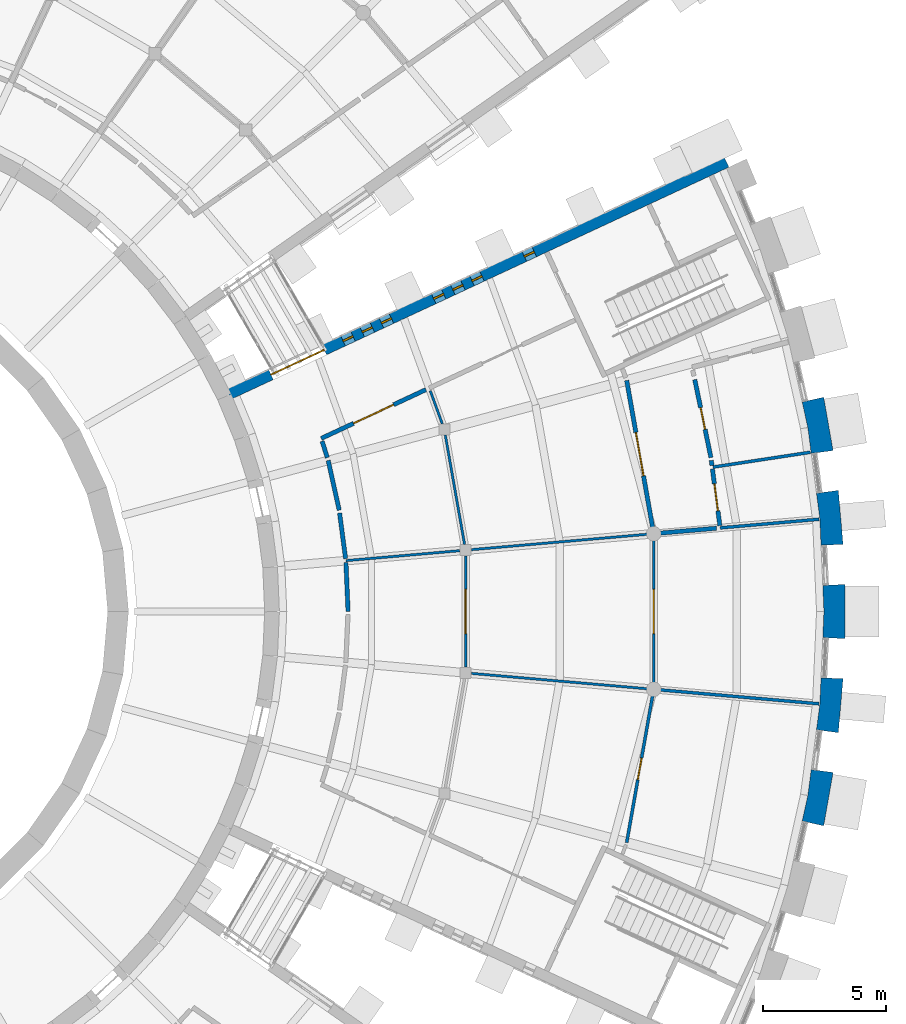
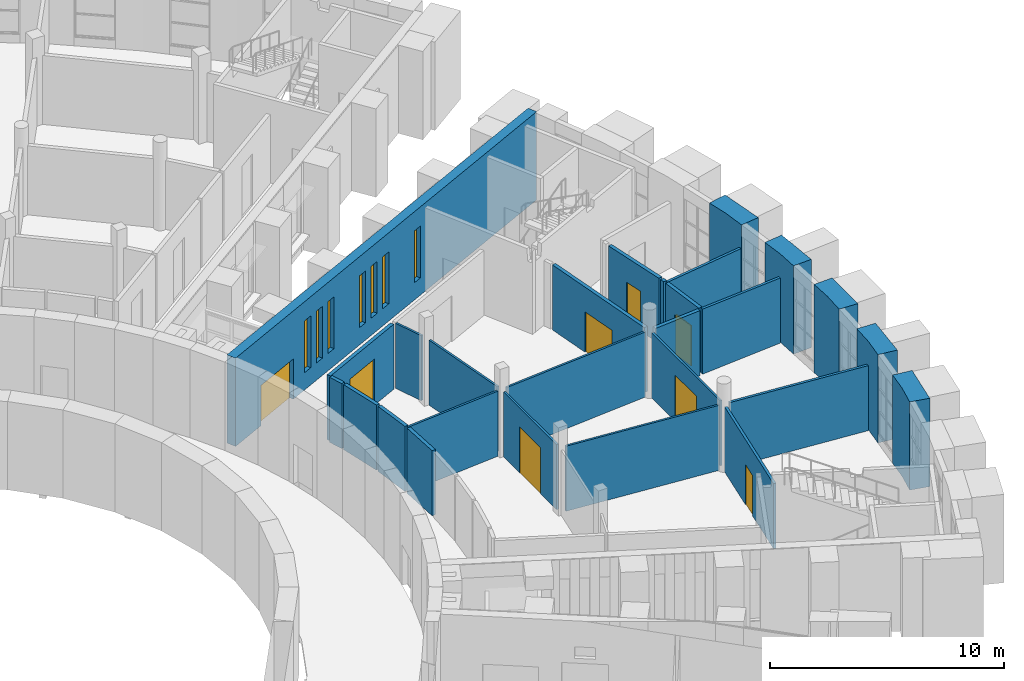
# One storey, part 45 of 66: 27 walls, 8 doors, 7 windows, 15 openings.
"""IFC4 building model written with IfcOpenShell, lengths in metres."""

from ifc_helpers import new_model, si_unit, direction, frame, frame_2d, origin, place, context, subcontext, project, spatial, polyline, rectangle, outline, extrude, material, layer, layer_set, type_object, element, fill, save


model = new_model("IFC4")

# Units and contexts
model_context = context("Model", 3, precision=1e-05, world=origin(), true_north=direction((0.0, 1.0)))
body_context = subcontext(model_context, "Body", "Model", "MODEL_VIEW")
ifc_project = project(units=[si_unit("LENGTHUNIT", "METRE"), si_unit("AREAUNIT", "SQUARE_METRE"), si_unit("VOLUMEUNIT", "CUBIC_METRE"), si_unit("PLANEANGLEUNIT", "RADIAN"), si_unit("MASSUNIT", "GRAM", prefix="KILO")], contexts=[model_context])

# Site, building, storey
site_placement = place(None, origin())
site = spatial("IfcSite", under=ifc_project, at=site_placement, CompositionType="ELEMENT")
building_placement = place(site_placement, origin())
building = spatial("IfcBuilding", under=site, at=building_placement, Name="Volute Hill Aquarium", CompositionType="ELEMENT")
storey_placement = place(building_placement, frame((0.0, 0.0, 4.60009765625)))
storey = spatial("IfcBuildingStorey", under=building, at=storey_placement, Name="L02", CompositionType="ELEMENT", Elevation=4.60009765625)

# Wall, opening, door
ifc_material_1 = material(Name="Gypsum board on steel studs", Category="steel")
ifc_layer_1 = layer(ifc_material_1, 0.175048828125)
ifc_layer_set_1 = layer_set([ifc_layer_1], Name="Corridor partition 175 EI 60")
wall_type_1 = type_object("IfcWallType", Name="Corridor partition 175 EI 60", PredefinedType="PARTITIONING", material=ifc_layer_set_1)
wall_1_placement = place(storey_placement, frame((35.15966796875, 9.4208984375, 0.0), z_axis=(0.0, 0.0, 1.0), x_axis=(0.173678110418, -0.984802474592, 0.0)))
wall_1 = element("IfcWall", 1, at=wall_1_placement, inside=storey, type_object=wall_type_1, Name="pw/S4/L02/007", PredefinedType="PARTITIONING", context=body_context, shape_type="SweptSolid", body=[
    extrude(rectangle(XDim=6.10498046875, YDim=0.175048828125, at=frame_2d((3.052490234375, 0.0))), origin(), (0.0, 0.0, 1.0), 3.389892578125),
])
opening_1_placement = place(wall_1_placement, frame((2.152587890625, 0.0, 0.0)))
opening_1 = element("IfcOpeningElement", 2, at=opening_1_placement, cuts=wall_1, Name="Opening D4.02.07", PredefinedType="OPENING", context=body_context, shape_type="SweptSolid", body=[
    extrude(rectangle(XDim=1.800048828125, YDim=2.10009765625, at=frame_2d((0.89990234375, 1.050048828125))), frame((0.0, 0.097412109375, 0.0), z_axis=(0.0, -1.0, 0.0), x_axis=(1.0, 0.0, 0.0)), (0.0, 0.0, 1.0), 0.195068359375),
])
ifc_material_2 = material(Name="Timber, fire-rated", Category="wood")
door_type_1 = type_object("IfcDoorType", Name="Door 1800 x 2100 corridor double EI1 30", OperationType="DOUBLE_DOOR_SINGLE_SWING", PredefinedType="DOOR", material=ifc_material_2)
door_1_placement = place(opening_1_placement, origin())
door_1 = element("IfcDoor", 3, at=door_1_placement, inside=storey, type_object=door_type_1, Name="d/S4/L02/07", OperationType="SINGLE_SWING_LEFT", OverallHeight=2.10009765625, OverallWidth=1.800048828125, PredefinedType="DOOR", context=body_context, shape_type="SweptSolid", body=[
    extrude(rectangle(XDim=1.800048828125, YDim=2.10009765625, at=frame_2d((0.89990234375, 1.050048828125))), frame((0.0, 0.02490234375, 0.0), z_axis=(0.0, -1.0, 0.0), x_axis=(1.0, 0.0, 0.0)), (0.0, 0.0, 1.0), 0.050048828125),
])
fill(opening_1, door_1)

wall_2_placement = place(storey_placement, frame((26.9736328125, 9.04736328125, 0.0), z_axis=(0.0, 0.0, 1.0), x_axis=(-0.906308936169, -0.422615797409, 0.0)))
wall_2 = element("IfcWall", 4, at=wall_2_placement, inside=storey, type_object=wall_type_1, Name="pw/S4/L02/009", PredefinedType="PARTITIONING", context=body_context, shape_type="SweptSolid", body=[
    extrude(rectangle(XDim=4.708740234375, YDim=0.175048828125, at=frame_2d((2.3544921875, 0.0))), origin(), (0.0, 0.0, 1.0), 3.389892578125),
])
opening_2_placement = place(wall_2_placement, frame((1.454345703125, 0.0, 0.0)))
opening_2 = element("IfcOpeningElement", 5, at=opening_2_placement, cuts=wall_2, Name="Opening D4.02.02", PredefinedType="OPENING", context=body_context, shape_type="SweptSolid", body=[
    extrude(rectangle(XDim=1.800048828125, YDim=2.39990234375, at=frame_2d((0.89990234375, 1.199951171875))), frame((0.0, 0.097412109375, 0.0), z_axis=(0.0, -1.0, 0.0), x_axis=(1.0, 0.0, 0.0)), (0.0, 0.0, 1.0), 0.195068359375),
])
ifc_material_3 = material(Name="Timber, fire-rated", Category="wood")
door_type_2 = type_object("IfcDoorType", Name="Door 1800 x 2400 gallery double EI1 30", OperationType="DOUBLE_DOOR_SINGLE_SWING", PredefinedType="DOOR", material=ifc_material_3)
door_2_placement = place(opening_2_placement, origin())
door_2 = element("IfcDoor", 6, at=door_2_placement, inside=storey, type_object=door_type_2, Name="d/S4/L02/02", OperationType="SINGLE_SWING_LEFT", OverallHeight=2.39990234375, OverallWidth=1.800048828125, PredefinedType="DOOR", context=body_context, shape_type="SweptSolid", body=[
    extrude(rectangle(XDim=1.800048828125, YDim=2.39990234375, at=frame_2d((0.89990234375, 1.199951171875))), frame((0.0, 0.02490234375, 0.0), z_axis=(0.0, -1.0, 0.0), x_axis=(1.0, 0.0, 0.0)), (0.0, 0.0, 1.0), 0.050048828125),
])
fill(opening_2, door_2)

wall_3_placement = place(storey_placement, frame((38.593505859375, 6.278564453125, 0.0), z_axis=(0.0, 0.0, 1.0), x_axis=(-0.202824517058, 0.97921510164, 0.0)))
wall_3 = element("IfcWall", 7, at=wall_3_placement, inside=storey, type_object=wall_type_1, Name="pw/S4/L02/018", PredefinedType="PARTITIONING", context=body_context, shape_type="SweptSolid", body=[
    extrude(rectangle(XDim=3.2451171875, YDim=0.175048828125, at=frame_2d((1.62255859375, 0.0))), origin(), (0.0, 0.0, 1.0), 3.389892578125),
])
opening_3_placement = place(wall_3_placement, frame((1.172607421875, 0.0, 0.0)))
opening_3 = element("IfcOpeningElement", 8, at=opening_3_placement, cuts=wall_3, Name="Opening D4.02.10", PredefinedType="OPENING", context=body_context, shape_type="SweptSolid", body=[
    extrude(rectangle(XDim=0.89990234375, YDim=2.10009765625, at=frame_2d((0.449951171875, 1.050048828125))), frame((0.0, 0.097412109375, 0.0), z_axis=(0.0, -1.0, 0.0), x_axis=(1.0, 0.0, 0.0)), (0.0, 0.0, 1.0), 0.195068359375),
])
ifc_material_4 = material(Name="Timber, fire-rated", Category="wood")
door_type_3 = type_object("IfcDoorType", Name="Door 900 x 2100 wc single EI1 30", OperationType="SINGLE_SWING_LEFT", PredefinedType="DOOR", material=ifc_material_4)
door_3_placement = place(opening_3_placement, origin())
door_3 = element("IfcDoor", 9, at=door_3_placement, inside=storey, type_object=door_type_3, Name="d/S4/L02/10", OperationType="SINGLE_SWING_RIGHT", OverallHeight=2.10009765625, OverallWidth=0.89990234375, PredefinedType="DOOR", context=body_context, shape_type="SweptSolid", body=[
    extrude(rectangle(XDim=0.89990234375, YDim=2.10009765625, at=frame_2d((0.449951171875, 1.050048828125))), frame((0.0, 0.02490234375, 0.0), z_axis=(0.0, -1.0, 0.0), x_axis=(1.0, 0.0, 0.0)), (0.0, 0.0, 1.0), 0.050048828125),
])
fill(opening_3, door_3)

# Wall
wall_4_placement = place(storey_placement, frame((38.60888671875, 6.162109375, 0.0), z_axis=(0.0, 0.0, 1.0), x_axis=(0.130275574496, -0.9914778236, 0.0)))
element("IfcWall", 10, at=wall_4_placement, inside=storey, type_object=wall_type_1, Name="pw/S4/L02/019", PredefinedType="PARTITIONING", context=body_context, shape_type="SweptSolid", body=[
    extrude(rectangle(XDim=0.211669921875, YDim=0.175048828125, at=frame_2d((0.10595703125, 0.0))), origin(), (0.0, 0.0, 1.0), 3.389892578125),
])

# Wall, opening, door
wall_5_placement = place(storey_placement, frame((38.654296875, 5.815185546875, 0.0), z_axis=(0.0, 0.0, 1.0), x_axis=(0.130546512768, -0.991442185911, 0.0)))
wall_5 = element("IfcWall", 11, at=wall_5_placement, inside=storey, type_object=wall_type_1, Name="pw/S4/L02/020", PredefinedType="PARTITIONING", context=body_context, shape_type="SweptSolid", body=[
    extrude(rectangle(XDim=2.333984375, YDim=0.175048828125, at=frame_2d((1.1669921875, 0.0))), origin(), (0.0, 0.0, 1.0), 3.389892578125),
])
opening_4_placement = place(wall_5_placement, frame((0.616943359375, 0.0, 0.0)))
opening_4 = element("IfcOpeningElement", 12, at=opening_4_placement, cuts=wall_5, Name="Opening D4.02.09", PredefinedType="OPENING", context=body_context, shape_type="SweptSolid", body=[
    extrude(rectangle(XDim=1.10009765625, YDim=2.10009765625, at=frame_2d((0.550048828125, 1.050048828125))), frame((0.0, 0.097412109375, 0.0), z_axis=(0.0, -1.0, 0.0), x_axis=(1.0, 0.0, 0.0)), (0.0, 0.0, 1.0), 0.195068359375),
])
ifc_material_5 = material(Name="Timber, fire-rated", Category="wood")
door_type_4 = type_object("IfcDoorType", Name="Door 1100 x 2100 accessible WC EI1 30", OperationType="SINGLE_SWING_LEFT", PredefinedType="DOOR", material=ifc_material_5)
door_4_placement = place(opening_4_placement, origin())
door_4 = element("IfcDoor", 13, at=door_4_placement, inside=storey, type_object=door_type_4, Name="d/S4/L02/09", OperationType="SINGLE_SWING_LEFT", OverallHeight=2.10009765625, OverallWidth=1.10009765625, PredefinedType="DOOR", context=body_context, shape_type="SweptSolid", body=[
    extrude(rectangle(XDim=1.10009765625, YDim=2.10009765625, at=frame_2d((0.550048828125, 1.050048828125))), frame((0.0, 0.02490234375, 0.0), z_axis=(0.0, -1.0, 0.0), x_axis=(1.0, 0.0, 0.0)), (0.0, 0.0, 1.0), 0.050048828125),
])
fill(opening_4, door_4)

# Walls
wall_6_placement = place(storey_placement, frame((38.82177734375, 3.396484375, 0.0), z_axis=(0.0, 0.0, 1.0), x_axis=(-0.996193262578, -0.087172149186, 0.0)))
element("IfcWall", 14, at=wall_6_placement, inside=storey, type_object=wall_type_1, Name="pw/S4/L02/021", PredefinedType="PARTITIONING", context=body_context, shape_type="SweptSolid", body=[
    extrude(rectangle(XDim=2.330078125, YDim=0.175048828125, at=frame_2d((1.1650390625, 0.0))), origin(), (0.0, 0.0, 1.0), 3.389892578125),
])
wall_7_placement = place(storey_placement, frame((22.989013671875, 6.159912109375, 0.0), z_axis=(0.0, 0.0, 1.0), x_axis=(0.216469786072, -0.97628931763, 0.0)))
element("IfcWall", 15, at=wall_7_placement, inside=storey, type_object=wall_type_1, Name="pw/S4/L02/022", PredefinedType="PARTITIONING", context=body_context, shape_type="SweptSolid", body=[
    extrude(rectangle(XDim=2.076416015625, YDim=0.175048828125, at=frame_2d((1.0380859375, 0.0))), origin(), (0.0, 0.0, 1.0), 3.389892578125),
])
wall_8_placement = place(storey_placement, frame((23.712890625, 1.994384765625, 0.0), z_axis=(0.0, 0.0, 1.0), x_axis=(0.043660127286, -0.999046442006, 0.0)))
element("IfcWall", 16, at=wall_8_placement, inside=storey, type_object=wall_type_1, Name="pw/S4/L02/024", PredefinedType="PARTITIONING", context=body_context, shape_type="SweptSolid", body=[
    extrude(rectangle(XDim=1.996337890625, YDim=0.175048828125, at=frame_2d((0.998046875, 0.0))), origin(), (0.0, 0.0, 1.0), 3.389892578125),
])
wall_9_placement = place(storey_placement, frame((23.45361328125, 4.016357421875, 0.0), z_axis=(0.0, 0.0, 1.0), x_axis=(0.130588961803, -0.99143659558, 0.0)))
element("IfcWall", 17, at=wall_9_placement, inside=storey, type_object=wall_type_1, Name="pw/S4/L02/026", PredefinedType="PARTITIONING", context=body_context, shape_type="SweptSolid", body=[
    extrude(rectangle(XDim=1.87890625, YDim=0.175048828125, at=frame_2d((0.939453125, 0.0))), origin(), (0.0, 0.0, 1.0), 3.389892578125),
])
wall_10_placement = place(storey_placement, frame((22.741455078125, 6.9453125, 0.0), z_axis=(0.0, 0.0, 1.0), x_axis=(0.300518931654, -0.953775849829, 0.0)))
element("IfcWall", 18, at=wall_10_placement, inside=storey, type_object=wall_type_1, Name="pw/S4/L02/030", PredefinedType="PARTITIONING", context=body_context, shape_type="SweptSolid", body=[
    extrude(rectangle(XDim=0.7060546875, YDim=0.175048828125, at=frame_2d((0.35302734375, 0.0))), origin(), (0.0, 0.0, 1.0), 3.389892578125),
])

# Wall, openings, door, windows
ifc_material_6 = material(Name="Concrete C35/45", Category="concrete")
ifc_layer_2 = layer(ifc_material_6, 0.449951171875)
ifc_layer_set_2 = layer_set([ifc_layer_2], Name="End wall 450 C35/45")
wall_type_2 = type_object("IfcWallType", Name="End wall 450 C35/45", PredefinedType="SHEAR", material=ifc_layer_set_2)
wall_11_placement = place(storey_placement, frame((18.931396484375, 8.85546875, 0.0), z_axis=(0.0, 0.0, 1.0), x_axis=(0.906309235651, 0.422615155162, 0.0)))
wall_11 = element("IfcWall", 19, at=wall_11_placement, inside=storey, type_object=wall_type_2, Name="sw/S4/L02/endB", PredefinedType="SHEAR", context=body_context, shape_type="SweptSolid", body=[
    extrude(rectangle(XDim=22.39990234375, YDim=0.449951171875, at=frame_2d((11.199951171875, 0.0))), origin(), (0.0, 0.0, 1.0), 4.599853515625),
])
opening_5_placement = place(wall_11_placement, frame((5.146240234375, 0.0, 0.89990234375)))
opening_5 = element("IfcOpeningElement", 20, at=opening_5_placement, cuts=wall_11, Name="Opening W12", PredefinedType="OPENING", context=body_context, shape_type="SweptSolid", body=[
    extrude(rectangle(XDim=0.449951171875, YDim=2.699951171875, at=frame_2d((0.22509765625, 1.35009765625))), frame((0.0, 0.23486328125, 0.0), z_axis=(0.0, -1.0, 0.0), x_axis=(1.0, 0.0, 0.0)), (0.0, 0.0, 1.0), 0.469970703125),
])
opening_6_placement = place(wall_11_placement, frame((6.009033203125, 0.0, 0.89990234375)))
opening_6 = element("IfcOpeningElement", 21, at=opening_6_placement, cuts=wall_11, Name="Opening W12", PredefinedType="OPENING", context=body_context, shape_type="SweptSolid", body=[
    extrude(rectangle(XDim=0.449951171875, YDim=2.699951171875, at=frame_2d((0.22509765625, 1.35009765625))), frame((0.0, 0.23486328125, 0.0), z_axis=(0.0, -1.0, 0.0), x_axis=(1.0, 0.0, 0.0)), (0.0, 0.0, 1.0), 0.469970703125),
])
opening_7_placement = place(wall_11_placement, frame((6.871826171875, 0.0, 0.89990234375)))
opening_7 = element("IfcOpeningElement", 22, at=opening_7_placement, cuts=wall_11, Name="Opening W12", PredefinedType="OPENING", context=body_context, shape_type="SweptSolid", body=[
    extrude(rectangle(XDim=0.449951171875, YDim=2.699951171875, at=frame_2d((0.22509765625, 1.35009765625))), frame((0.0, 0.23486328125, 0.0), z_axis=(0.0, -1.0, 0.0), x_axis=(1.0, 0.0, 0.0)), (0.0, 0.0, 1.0), 0.469970703125),
])
opening_8_placement = place(wall_11_placement, frame((9.22216796875, 0.0, 0.89990234375)))
opening_8 = element("IfcOpeningElement", 23, at=opening_8_placement, cuts=wall_11, Name="Opening W12", PredefinedType="OPENING", context=body_context, shape_type="SweptSolid", body=[
    extrude(rectangle(XDim=0.449951171875, YDim=2.699951171875, at=frame_2d((0.22509765625, 1.35009765625))), frame((0.0, 0.23486328125, 0.0), z_axis=(0.0, -1.0, 0.0), x_axis=(1.0, 0.0, 0.0)), (0.0, 0.0, 1.0), 0.469970703125),
])
opening_9_placement = place(wall_11_placement, frame((10.0849609375, 0.0, 0.89990234375)))
opening_9 = element("IfcOpeningElement", 24, at=opening_9_placement, cuts=wall_11, Name="Opening W12", PredefinedType="OPENING", context=body_context, shape_type="SweptSolid", body=[
    extrude(rectangle(XDim=0.449951171875, YDim=2.699951171875, at=frame_2d((0.22509765625, 1.35009765625))), frame((0.0, 0.23486328125, 0.0), z_axis=(0.0, -1.0, 0.0), x_axis=(1.0, 0.0, 0.0)), (0.0, 0.0, 1.0), 0.469970703125),
])
opening_10_placement = place(wall_11_placement, frame((10.94775390625, 0.0, 0.89990234375)))
opening_10 = element("IfcOpeningElement", 25, at=opening_10_placement, cuts=wall_11, Name="Opening W12", PredefinedType="OPENING", context=body_context, shape_type="SweptSolid", body=[
    extrude(rectangle(XDim=0.449951171875, YDim=2.699951171875, at=frame_2d((0.22509765625, 1.35009765625))), frame((0.0, 0.23486328125, 0.0), z_axis=(0.0, -1.0, 0.0), x_axis=(1.0, 0.0, 0.0)), (0.0, 0.0, 1.0), 0.469970703125),
])
opening_11_placement = place(wall_11_placement, frame((13.298095703125, 0.0, 0.89990234375)))
opening_11 = element("IfcOpeningElement", 26, at=opening_11_placement, cuts=wall_11, Name="Opening W12", PredefinedType="OPENING", context=body_context, shape_type="SweptSolid", body=[
    extrude(rectangle(XDim=0.449951171875, YDim=2.699951171875, at=frame_2d((0.22509765625, 1.35009765625))), frame((0.0, 0.23486328125, 0.0), z_axis=(0.0, -1.0, 0.0), x_axis=(1.0, 0.0, 0.0)), (0.0, 0.0, 1.0), 0.469970703125),
])
opening_12_placement = place(wall_11_placement, frame((1.89990234375, 0.0, 0.0)))
opening_12 = element("IfcOpeningElement", 27, at=opening_12_placement, cuts=wall_11, Name="Opening D4.02.BB", PredefinedType="OPENING", context=body_context, shape_type="SweptSolid", body=[
    extrude(rectangle(XDim=2.39990234375, YDim=2.10009765625, at=frame_2d((1.199951171875, 1.050048828125))), frame((0.0, 0.23486328125, 0.0), z_axis=(0.0, -1.0, 0.0), x_axis=(1.0, 0.0, 0.0)), (0.0, 0.0, 1.0), 0.469970703125),
])
ifc_material_7 = material(Name="Timber", Category="wood")
door_type_5 = type_object("IfcDoorType", Name="Door 2400 x 2100 bridge double", OperationType="DOUBLE_DOOR_SINGLE_SWING", PredefinedType="DOOR", material=ifc_material_7)
door_5_placement = place(opening_12_placement, origin())
door_5 = element("IfcDoor", 28, at=door_5_placement, inside=storey, type_object=door_type_5, Name="d/S4/L02/brB", OperationType="SINGLE_SWING_LEFT", OverallHeight=2.10009765625, OverallWidth=2.39990234375, PredefinedType="DOOR", context=body_context, shape_type="SweptSolid", body=[
    extrude(rectangle(XDim=2.39990234375, YDim=2.10009765625, at=frame_2d((1.199951171875, 1.050048828125))), frame((0.0, 0.02490234375, 0.0), z_axis=(0.0, -1.0, 0.0), x_axis=(1.0, 0.0, 0.0)), (0.0, 0.0, 1.0), 0.050048828125),
])
fill(opening_12, door_5)
ifc_material_8 = material(Name="Aluminium and glass", Category="aluminium")
window_type = type_object("IfcWindowType", Name="End wall window 450x2700", PartitioningType="SINGLE_PANEL", PredefinedType="WINDOW", material=ifc_material_8)
window_1_placement = place(opening_5_placement, origin())
window_1 = element("IfcWindow", 29, at=window_1_placement, inside=storey, type_object=window_type, Name="End wall window S4B L02 2.1", OverallHeight=2.699951171875, OverallWidth=0.449951171875, PartitioningType="SINGLE_PANEL", PredefinedType="WINDOW", context=body_context, shape_type="SweptSolid", body=[
    extrude(rectangle(XDim=0.449951171875, YDim=2.699951171875, at=frame_2d((0.22509765625, 1.35009765625))), frame((0.0, 0.030029296875, 0.0), z_axis=(0.0, -1.0, 0.0), x_axis=(1.0, 0.0, 0.0)), (0.0, 0.0, 1.0), 0.06005859375),
])
fill(opening_5, window_1)
window_2_placement = place(opening_6_placement, origin())
window_2 = element("IfcWindow", 30, at=window_2_placement, inside=storey, type_object=window_type, Name="End wall window S4B L02 2.2", OverallHeight=2.699951171875, OverallWidth=0.449951171875, PartitioningType="SINGLE_PANEL", PredefinedType="WINDOW", context=body_context, shape_type="SweptSolid", body=[
    extrude(rectangle(XDim=0.449951171875, YDim=2.699951171875, at=frame_2d((0.22509765625, 1.35009765625))), frame((0.0, 0.030029296875, 0.0), z_axis=(0.0, -1.0, 0.0), x_axis=(1.0, 0.0, 0.0)), (0.0, 0.0, 1.0), 0.06005859375),
])
fill(opening_6, window_2)
window_3_placement = place(opening_7_placement, origin())
window_3 = element("IfcWindow", 31, at=window_3_placement, inside=storey, type_object=window_type, Name="End wall window S4B L02 2.3", OverallHeight=2.699951171875, OverallWidth=0.449951171875, PartitioningType="SINGLE_PANEL", PredefinedType="WINDOW", context=body_context, shape_type="SweptSolid", body=[
    extrude(rectangle(XDim=0.449951171875, YDim=2.699951171875, at=frame_2d((0.22509765625, 1.35009765625))), frame((0.0, 0.030029296875, 0.0), z_axis=(0.0, -1.0, 0.0), x_axis=(1.0, 0.0, 0.0)), (0.0, 0.0, 1.0), 0.06005859375),
])
fill(opening_7, window_3)
window_4_placement = place(opening_8_placement, origin())
window_4 = element("IfcWindow", 32, at=window_4_placement, inside=storey, type_object=window_type, Name="End wall window S4B L02 3.1", OverallHeight=2.699951171875, OverallWidth=0.449951171875, PartitioningType="SINGLE_PANEL", PredefinedType="WINDOW", context=body_context, shape_type="SweptSolid", body=[
    extrude(rectangle(XDim=0.449951171875, YDim=2.699951171875, at=frame_2d((0.22509765625, 1.35009765625))), frame((0.0, 0.030029296875, 0.0), z_axis=(0.0, -1.0, 0.0), x_axis=(1.0, 0.0, 0.0)), (0.0, 0.0, 1.0), 0.06005859375),
])
fill(opening_8, window_4)
window_5_placement = place(opening_9_placement, origin())
window_5 = element("IfcWindow", 33, at=window_5_placement, inside=storey, type_object=window_type, Name="End wall window S4B L02 3.2", OverallHeight=2.699951171875, OverallWidth=0.449951171875, PartitioningType="SINGLE_PANEL", PredefinedType="WINDOW", context=body_context, shape_type="SweptSolid", body=[
    extrude(rectangle(XDim=0.449951171875, YDim=2.699951171875, at=frame_2d((0.22509765625, 1.35009765625))), frame((0.0, 0.030029296875, 0.0), z_axis=(0.0, -1.0, 0.0), x_axis=(1.0, 0.0, 0.0)), (0.0, 0.0, 1.0), 0.06005859375),
])
fill(opening_9, window_5)
window_6_placement = place(opening_10_placement, origin())
window_6 = element("IfcWindow", 34, at=window_6_placement, inside=storey, type_object=window_type, Name="End wall window S4B L02 3.3", OverallHeight=2.699951171875, OverallWidth=0.449951171875, PartitioningType="SINGLE_PANEL", PredefinedType="WINDOW", context=body_context, shape_type="SweptSolid", body=[
    extrude(rectangle(XDim=0.449951171875, YDim=2.699951171875, at=frame_2d((0.22509765625, 1.35009765625))), frame((0.0, 0.030029296875, 0.0), z_axis=(0.0, -1.0, 0.0), x_axis=(1.0, 0.0, 0.0)), (0.0, 0.0, 1.0), 0.06005859375),
])
fill(opening_10, window_6)
window_7_placement = place(opening_11_placement, origin())
window_7 = element("IfcWindow", 35, at=window_7_placement, inside=storey, type_object=window_type, Name="End wall window S4B L02 4.1", OverallHeight=2.699951171875, OverallWidth=0.449951171875, PartitioningType="SINGLE_PANEL", PredefinedType="WINDOW", context=body_context, shape_type="SweptSolid", body=[
    extrude(rectangle(XDim=0.449951171875, YDim=2.699951171875, at=frame_2d((0.22509765625, 1.35009765625))), frame((0.0, 0.030029296875, 0.0), z_axis=(0.0, -1.0, 0.0), x_axis=(1.0, 0.0, 0.0)), (0.0, 0.0, 1.0), 0.06005859375),
])
fill(opening_11, window_7)

# Walls
ifc_material_9 = material(Name="Gypsum board on steel studs", Category="steel")
ifc_layer_3 = layer(ifc_material_9, 0.10009765625)
ifc_layer_set_3 = layer_set([ifc_layer_3], Name="Light partition 100")
wall_type_3 = type_object("IfcWallType", Name="Light partition 100", PredefinedType="PARTITIONING", material=ifc_layer_set_3)
for number, where, z_axis, x_axis, name in (
    (36, (28.829833984375, -2.522216796875, 0.0), (0.0, 0.0, 1.0), (0.996193240342, -0.087172403299, 0.0), "pw/S4/L02/001"),
    (37, (28.829833984375, 2.522216796875, 0.0), (0.0, 0.0, 1.0), (0.996193240342, 0.087172403299, 0.0), "pw/S4/L02/002"),
):
    element("IfcWall", number, at=place(storey_placement, frame(where, z_axis=z_axis, x_axis=x_axis)), inside=storey, type_object=wall_type_3, Name=name, PredefinedType="PARTITIONING", context=body_context, shape_type="SweptSolid", body=[
        extrude(rectangle(XDim=7.22021484375, YDim=0.10009765625, at=frame_2d((3.610107421875, 0.0))), origin(), (0.0, 0.0, 1.0), 3.389892578125),
    ])

# Wall, opening, door
wall_12_placement = place(storey_placement, frame((36.261474609375, 2.9326171875, 0.0), z_axis=(0.0, 0.0, 1.0), x_axis=(0.0, -1.0, 0.0)))
wall_12 = element("IfcWall", 38, at=wall_12_placement, inside=storey, type_object=wall_type_3, Name="pw/S4/L02/008", PredefinedType="PARTITIONING", context=body_context, shape_type="SweptSolid", body=[
    extrude(rectangle(XDim=5.865234375, YDim=0.10009765625, at=frame_2d((2.9326171875, 0.0))), origin(), (0.0, 0.0, 1.0), 3.389892578125),
])
opening_13_placement = place(wall_12_placement, frame((2.032470703125, 0.0, 0.0)))
opening_13 = element("IfcOpeningElement", 39, at=opening_13_placement, cuts=wall_12, Name="Opening D4.02.08", PredefinedType="OPENING", context=body_context, shape_type="SweptSolid", body=[
    extrude(rectangle(XDim=1.800048828125, YDim=2.39990234375, at=frame_2d((0.89990234375, 1.199951171875))), frame((0.0, 0.06005859375, 0.0), z_axis=(0.0, -1.0, 0.0), x_axis=(1.0, 0.0, 0.0)), (0.0, 0.0, 1.0), 0.1201171875),
])
ifc_material_10 = material(Name="Timber", Category="wood")
door_type_6 = type_object("IfcDoorType", Name="Door 1800 x 2400 gallery double", OperationType="DOUBLE_DOOR_SINGLE_SWING", PredefinedType="DOOR", material=ifc_material_10)
door_6_placement = place(opening_13_placement, origin())
door_6 = element("IfcDoor", 40, at=door_6_placement, inside=storey, type_object=door_type_6, Name="d/S4/L02/08", OperationType="SINGLE_SWING_LEFT", OverallHeight=2.39990234375, OverallWidth=1.800048828125, PredefinedType="DOOR", context=body_context, shape_type="SweptSolid", body=[
    extrude(rectangle(XDim=1.800048828125, YDim=2.39990234375, at=frame_2d((0.89990234375, 1.199951171875))), frame((0.0, 0.02490234375, 0.0), z_axis=(0.0, -1.0, 0.0), x_axis=(1.0, 0.0, 0.0)), (0.0, 0.0, 1.0), 0.050048828125),
])
fill(opening_13, door_6)

# Walls
wall_13_placement = place(storey_placement, frame((23.70947265625, 2.07421875, 0.0), z_axis=(0.0, 0.0, 1.0), x_axis=(0.996192864458, 0.087176698736, 0.0)))
element("IfcWall", 41, at=wall_13_placement, inside=storey, type_object=wall_type_3, Name="pw/S4/L02/011", PredefinedType="PARTITIONING", context=body_context, shape_type="SweptSolid", body=[
    extrude(rectangle(XDim=4.66015625, YDim=0.10009765625, at=frame_2d((2.330078125, 0.0))), origin(), (0.0, 0.0, 1.0), 3.389892578125),
])
wall_14_placement = place(storey_placement, frame((27.763671875, 7.19189453125, 0.0), z_axis=(0.0, 0.0, 1.0), x_axis=(0.173696036677, -0.984799312978, 0.0)))
element("IfcWall", 42, at=wall_14_placement, inside=storey, type_object=wall_type_3, Name="pw/S4/L02/013", PredefinedType="PARTITIONING", context=body_context, shape_type="SweptSolid", body=[
    extrude(rectangle(XDim=4.523193359375, YDim=0.10009765625, at=frame_2d((2.26171875, 0.0))), origin(), (0.0, 0.0, 1.0), 3.389892578125),
])

# Wall, opening, door
wall_15_placement = place(storey_placement, frame((28.5908203125, 2.261474609375, 0.0), z_axis=(0.0, 0.0, 1.0), x_axis=(0.0, -1.0, 0.0)))
wall_15 = element("IfcWall", 43, at=wall_15_placement, inside=storey, type_object=wall_type_3, Name="pw/S4/L02/014", PredefinedType="PARTITIONING", context=body_context, shape_type="SweptSolid", body=[
    extrude(rectangle(XDim=4.52294921875, YDim=0.10009765625, at=frame_2d((2.261474609375, 0.0))), origin(), (0.0, 0.0, 1.0), 3.389892578125),
])
opening_14_placement = place(wall_15_placement, frame((1.361328125, 0.0, 0.0)))
opening_14 = element("IfcOpeningElement", 44, at=opening_14_placement, cuts=wall_15, Name="Opening D4.02.05", PredefinedType="OPENING", context=body_context, shape_type="SweptSolid", body=[
    extrude(rectangle(XDim=1.800048828125, YDim=2.39990234375, at=frame_2d((0.89990234375, 1.199951171875))), frame((0.0, 0.06005859375, 0.0), z_axis=(0.0, -1.0, 0.0), x_axis=(1.0, 0.0, 0.0)), (0.0, 0.0, 1.0), 0.1201171875),
])
door_7_placement = place(opening_14_placement, origin())
door_7 = element("IfcDoor", 45, at=door_7_placement, inside=storey, type_object=door_type_6, Name="d/S4/L02/05", OperationType="SINGLE_SWING_LEFT", OverallHeight=2.39990234375, OverallWidth=1.800048828125, PredefinedType="DOOR", context=body_context, shape_type="SweptSolid", body=[
    extrude(rectangle(XDim=1.800048828125, YDim=2.39990234375, at=frame_2d((0.89990234375, 1.199951171875))), frame((0.0, 0.02490234375, 0.0), z_axis=(0.0, -1.0, 0.0), x_axis=(1.0, 0.0, 0.0)), (0.0, 0.0, 1.0), 0.050048828125),
])
fill(opening_14, door_7)

# Walls
wall_16_placement = place(storey_placement, frame((27.14990234375, 9.000244140625, 0.0), z_axis=(0.0, 0.0, 1.0), x_axis=(0.342016566384, -0.939693922679, 0.0)))
element("IfcWall", 46, at=wall_16_placement, inside=storey, type_object=wall_type_3, Name="pw/S4/L02/029", PredefinedType="PARTITIONING", context=body_context, shape_type="SweptSolid", body=[
    extrude(rectangle(XDim=1.433349609375, YDim=0.10009765625, at=frame_2d((0.716796875, 0.0))), origin(), (0.0, 0.0, 1.0), 3.389892578125),
])
ifc_material_11 = material(Name="Precast concrete C40/50", Category="concrete")
ifc_layer_4 = layer(ifc_material_11, 0.89990234375)
ifc_layer_set_4 = layer_set([ifc_layer_4], Name="Outer pier precast concrete C40/50 900")
wall_type_4 = type_object("IfcWallType", Name="Outer pier precast concrete C40/50 900", PredefinedType="NOTDEFINED", material=ifc_layer_set_4)
wall_17_placement = place(storey_placement, origin())
element("IfcWall", 47, at=wall_17_placement, inside=storey, type_object=wall_type_4, Name="Outer pier OWP S4 L02 4", PredefinedType="NOTDEFINED", context=body_context, shape_type="SweptSolid", body=[
    extrude(outline(polyline([(42.312744140625, -8.5419921875), (43.19140625, -8.73681640625), (43.57470703125, -6.5625), (42.682373046875, -6.445068359375), (42.543212890625, -7.50146484375), (42.312744140625, -8.5419921875)])), origin(), (0.0, 0.0, 1.0), 4.599853515625),
])
wall_18_placement = place(storey_placement, origin())
element("IfcWall", 48, at=wall_18_placement, inside=storey, type_object=wall_type_4, Name="Outer pier OWP S4 L02 5", PredefinedType="NOTDEFINED", context=body_context, shape_type="SweptSolid", body=[
    extrude(outline(polyline([(42.89599609375, -4.821533203125), (43.788330078125, -4.93896484375), (43.980712890625, -2.73974609375), (43.081787109375, -2.700439453125), (43.03515625, -3.76513671875), (42.89599609375, -4.821533203125)])), origin(), (0.0, 0.0, 1.0), 4.599853515625),
])
wall_19_placement = place(storey_placement, origin())
element("IfcWall", 49, at=wall_19_placement, inside=storey, type_object=wall_type_4, Name="Outer pier OWP S4 L02 6", PredefinedType="NOTDEFINED", context=body_context, shape_type="SweptSolid", body=[
    extrude(outline(polyline([(43.153076171875, -1.064453125), (44.05224609375, -1.103759765625), (44.05224609375, 1.103759765625), (43.153076171875, 1.064697265625), (43.19970703125, 0.0), (43.153076171875, -1.064453125)])), origin(), (0.0, 0.0, 1.0), 4.599853515625),
])
wall_20_placement = place(storey_placement, origin())
element("IfcWall", 50, at=wall_20_placement, inside=storey, type_object=wall_type_4, Name="Outer pier OWP S4 L02 7", PredefinedType="NOTDEFINED", context=body_context, shape_type="SweptSolid", body=[
    extrude(outline(polyline([(43.08154296875, 2.700439453125), (43.980712890625, 2.73974609375), (43.788330078125, 4.93896484375), (42.89599609375, 4.821533203125), (43.03515625, 3.76513671875), (43.08154296875, 2.700439453125)])), origin(), (0.0, 0.0, 1.0), 4.599853515625),
])
wall_21_placement = place(storey_placement, origin())
element("IfcWall", 51, at=wall_21_placement, inside=storey, type_object=wall_type_4, Name="Outer pier OWP S4 L02 8", PredefinedType="NOTDEFINED", context=body_context, shape_type="SweptSolid", body=[
    extrude(outline(polyline([(42.682373046875, 6.445068359375), (43.57470703125, 6.5625), (43.19140625, 8.736572265625), (42.312744140625, 8.541748046875), (42.543212890625, 7.50146484375), (42.682373046875, 6.445068359375)])), origin(), (0.0, 0.0, 1.0), 4.599853515625),
])
ifc_material_12 = material(Name="Gypsum board on steel studs, tiled", Category="steel")
ifc_layer_5 = layer(ifc_material_12, 0.125)
ifc_layer_set_5 = layer_set([ifc_layer_5], Name="Wet-area partition 125")
wall_type_5 = type_object("IfcWallType", Name="Wet-area partition 125", PredefinedType="PARTITIONING", material=ifc_layer_set_5)
wall_22_placement = place(storey_placement, frame((36.50048828125, -3.193359375, 0.0), z_axis=(0.0, 0.0, 1.0), x_axis=(0.996195137737, -0.087150717435, 0.0)))
element("IfcWall", 52, at=wall_22_placement, inside=storey, type_object=wall_type_5, Name="pw/S4/L02/005", PredefinedType="PARTITIONING", context=body_context, shape_type="SweptSolid", body=[
    extrude(rectangle(XDim=6.530029296875, YDim=0.125, at=frame_2d((3.26513671875, 0.0))), origin(), (0.0, 0.0, 1.0), 3.389892578125),
])

# Wall, opening, door
wall_23_placement = place(storey_placement, frame((36.219970703125, -3.40869140625, 0.0), z_axis=(0.0, 0.0, 1.0), x_axis=(-0.173678110418, -0.984802474592, 0.0)))
wall_23 = element("IfcWall", 53, at=wall_23_placement, inside=storey, type_object=wall_type_5, Name="pw/S4/L02/006", PredefinedType="PARTITIONING", context=body_context, shape_type="SweptSolid", body=[
    extrude(rectangle(XDim=6.10498046875, YDim=0.125, at=frame_2d((3.052490234375, 0.0))), origin(), (0.0, 0.0, 1.0), 3.389892578125),
])
opening_15_placement = place(wall_23_placement, frame((2.6025390625, 0.0, 0.0)))
opening_15 = element("IfcOpeningElement", 54, at=opening_15_placement, cuts=wall_23, Name="Opening D4.02.06", PredefinedType="OPENING", context=body_context, shape_type="SweptSolid", body=[
    extrude(rectangle(XDim=0.89990234375, YDim=2.10009765625, at=frame_2d((0.449951171875, 1.050048828125))), frame((0.0, 0.072509765625, 0.0), z_axis=(0.0, -1.0, 0.0), x_axis=(1.0, 0.0, 0.0)), (0.0, 0.0, 1.0), 0.14501953125),
])
ifc_material_13 = material(Name="Timber", Category="wood")
door_type_7 = type_object("IfcDoorType", Name="Door 900 x 2100 wc single", OperationType="SINGLE_SWING_LEFT", PredefinedType="DOOR", material=ifc_material_13)
door_8_placement = place(opening_15_placement, origin())
door_8 = element("IfcDoor", 55, at=door_8_placement, inside=storey, type_object=door_type_7, Name="d/S4/L02/06", OperationType="SINGLE_SWING_RIGHT", OverallHeight=2.10009765625, OverallWidth=0.89990234375, PredefinedType="DOOR", context=body_context, shape_type="SweptSolid", body=[
    extrude(rectangle(XDim=0.89990234375, YDim=2.10009765625, at=frame_2d((0.449951171875, 1.050048828125))), frame((0.0, 0.02490234375, 0.0), z_axis=(0.0, -1.0, 0.0), x_axis=(1.0, 0.0, 0.0)), (0.0, 0.0, 1.0), 0.050048828125),
])
fill(opening_15, door_8)

# Walls
wall_24_placement = place(storey_placement, frame((38.97119140625, 3.409423828125, 0.0), z_axis=(0.0, 0.0, 1.0), x_axis=(0.996193390316, 0.087170689404, 0.0)))
element("IfcWall", 56, at=wall_24_placement, inside=storey, type_object=wall_type_5, Name="pw/S4/L02/015", PredefinedType="PARTITIONING", context=body_context, shape_type="SweptSolid", body=[
    extrude(rectangle(XDim=4.0498046875, YDim=0.125, at=frame_2d((2.02490234375, 0.0))), origin(), (0.0, 0.0, 1.0), 3.389892578125),
])
wall_25_placement = place(storey_placement, frame((38.67431640625, 5.8876953125, 0.0), z_axis=(0.0, 0.0, 1.0), x_axis=(0.988616283024, 0.150458781533, 0.0)))
element("IfcWall", 57, at=wall_25_placement, inside=storey, type_object=wall_type_5, Name="pw/S4/L02/017", PredefinedType="PARTITIONING", context=body_context, shape_type="SweptSolid", body=[
    extrude(rectangle(XDim=4.017578125, YDim=0.125, at=frame_2d((2.0087890625, 0.0))), origin(), (0.0, 0.0, 1.0), 3.389892578125),
])

save(model, "model.ifc")
